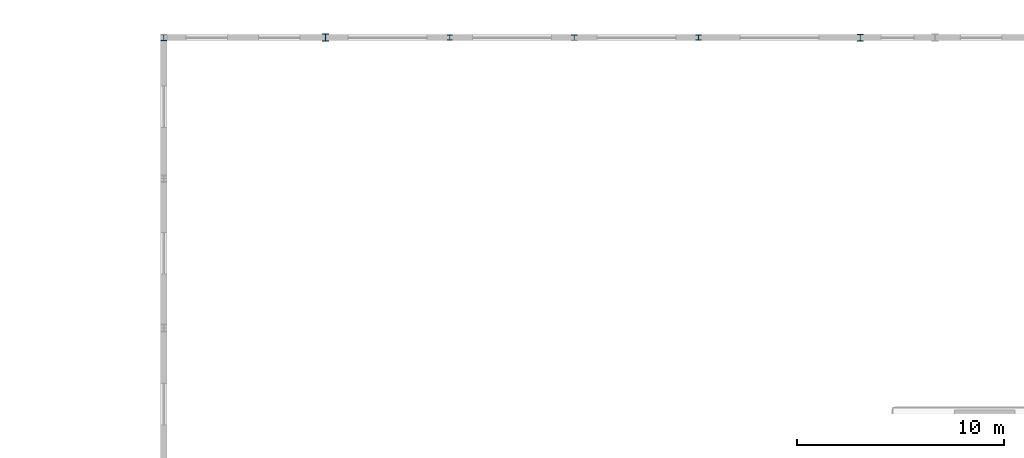
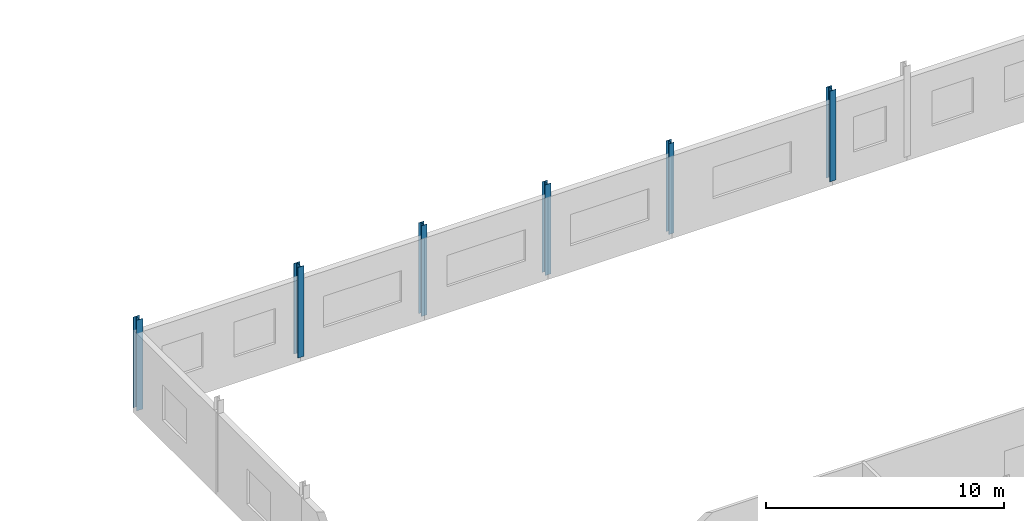
# One storey, part 23 of 121: 6 columns.
"""IFC4 building model written with IfcOpenShell, lengths in metres."""

from ifc_helpers import new_model, si_unit, direction, frame, origin, origin_2d, place, context, subcontext, project, spatial, i_section, extrude, material, material_profile, profile_set, type_object, element, save


model = new_model("IFC4")

# Units and contexts
model_context = context("Model", 3, precision=1e-05, world=origin(), true_north=direction((0.0, 1.0)))
body_context = subcontext(model_context, "Body", "Model", "MODEL_VIEW")
ifc_project = project(units=[si_unit("LENGTHUNIT", "METRE"), si_unit("AREAUNIT", "SQUARE_METRE"), si_unit("VOLUMEUNIT", "CUBIC_METRE"), si_unit("PLANEANGLEUNIT", "RADIAN"), si_unit("MASSUNIT", "GRAM", prefix="KILO")], contexts=[model_context])

# Site, building, storey
site_placement = place(None, origin())
site = spatial("IfcSite", under=ifc_project, at=site_placement, CompositionType="ELEMENT")
building_placement = place(site_placement, origin())
building = spatial("IfcBuilding", under=site, at=building_placement, Name="Vinh Khe Railworks Police Headquarters", CompositionType="ELEMENT")
storey_placement = place(building_placement, frame((0.0, 0.0, 4.800048828125)))
storey = spatial("IfcBuildingStorey", under=building, at=storey_placement, Name="L01", CompositionType="ELEMENT", Elevation=4.800048828125)

# Columns
ifc_material = material(Name="Steel S355JR", Category="steel")
ifc_material_profile_1 = material_profile(ifc_material, i_section(OverallWidth=0.280029296875, OverallDepth=0.27001953125, WebThickness=0.008056640625, FlangeThickness=0.012939453125, FilletRadius=0.02392578125, at=origin_2d()), Name="HEA 280")
ifc_profile_set_1 = profile_set([ifc_material_profile_1], Name="Steel S355JR")
column_type_1 = type_object("IfcColumnType", Name="Steel Column HEA 280", PredefinedType="COLUMN", material=ifc_profile_set_1)
column_1_placement = place(storey_placement, frame((46.199951171875, 166.39990234375, 0.0), z_axis=(0.0, 0.0, 1.0), x_axis=(1.0, 0.0, 0.0)))
element("IfcColumn", 1, at=column_1_placement, inside=storey, type_object=column_type_1, Name="Column COL-L01-SC-19-0938", PredefinedType="COLUMN", context=body_context, shape_type="SweptSolid", body=[
    extrude(i_section(OverallWidth=0.280029296875, OverallDepth=0.27001953125, WebThickness=0.008056640625, FlangeThickness=0.012939453125, FilletRadius=0.02392578125, at=origin_2d()), origin(), (0.0, 0.0, 1.0), 4.64990234375),
])
ifc_material_profile_2 = material_profile(ifc_material, i_section(OverallWidth=0.300048828125, OverallDepth=0.2900390625, WebThickness=0.008544921875, FlangeThickness=0.013916015625, FilletRadius=0.027099609375, at=origin_2d()), Name="HEA 300")
ifc_profile_set_2 = profile_set([ifc_material_profile_2], Name="Steel S355JR")
column_type_2 = type_object("IfcColumnType", Name="Steel Column HEA 300", PredefinedType="COLUMN", material=ifc_profile_set_2)
column_2_placement = place(storey_placement, frame((26.39990234375, 166.39990234375, 0.0), z_axis=(0.0, 0.0, 1.0), x_axis=(1.0, 0.0, 0.0)))
element("IfcColumn", 2, at=column_2_placement, inside=storey, type_object=column_type_2, Name="Column COL-L01-SC-18-0779", PredefinedType="COLUMN", context=body_context, shape_type="SweptSolid", body=[
    extrude(i_section(OverallWidth=0.300048828125, OverallDepth=0.2900390625, WebThickness=0.008544921875, FlangeThickness=0.013916015625, FilletRadius=0.027099609375, at=origin_2d()), origin(), (0.0, 0.0, 1.0), 4.64990234375),
])
ifc_material_profile_3 = material_profile(ifc_material, i_section(OverallWidth=0.260009765625, OverallDepth=0.260009765625, WebThickness=0.010009765625, FlangeThickness=0.017578125, FilletRadius=0.02392578125, at=origin_2d()), Name="HEB 260")
ifc_profile_set_3 = profile_set([ifc_material_profile_3], Name="Steel S355JR")
column_type_3 = type_object("IfcColumnType", Name="Steel Column HEB 260", PredefinedType="COLUMN", material=ifc_profile_set_3)
for number, where, z_axis, x_axis, name in (
    (3, (40.199951171875, 166.39990234375, 0.0), (0.0, 0.0, 1.0), (1.0, 0.0, 0.0), "Column COL-L01-SC-12-0877"),
    (4, (52.199951171875, 166.39990234375, 0.0), (0.0, 0.0, 1.0), (1.0, 0.0, 0.0), "Column COL-L01-SC-12-0991"),
):
    element("IfcColumn", number, at=place(storey_placement, frame(where, z_axis=z_axis, x_axis=x_axis)), inside=storey, type_object=column_type_3, Name=name, PredefinedType="COLUMN", context=body_context, shape_type="SweptSolid", body=[
        extrude(i_section(OverallWidth=0.260009765625, OverallDepth=0.260009765625, WebThickness=0.010009765625, FlangeThickness=0.017578125, FilletRadius=0.02392578125, at=origin_2d()), origin(), (0.0, 0.0, 1.0), 4.64990234375),
    ])
ifc_material_profile_4 = material_profile(ifc_material, i_section(OverallWidth=0.300048828125, OverallDepth=0.340087890625, WebThickness=0.011962890625, FlangeThickness=0.021484375, FilletRadius=0.027099609375, at=origin_2d()), Name="HEB 340")
ifc_profile_set_4 = profile_set([ifc_material_profile_4], Name="Steel S355JR")
column_type_4 = type_object("IfcColumnType", Name="Steel Column HEB 340", PredefinedType="COLUMN", material=ifc_profile_set_4)
column_3_placement = place(storey_placement, frame((60.0, 166.39990234375, 0.0), z_axis=(0.0, 0.0, 1.0), x_axis=(1.0, 0.0, 0.0)))
element("IfcColumn", 5, at=column_3_placement, inside=storey, type_object=column_type_4, Name="Column COL-L01-SC-10-1063", PredefinedType="COLUMN", context=body_context, shape_type="SweptSolid", body=[
    extrude(i_section(OverallWidth=0.300048828125, OverallDepth=0.340087890625, WebThickness=0.011962890625, FlangeThickness=0.021484375, FilletRadius=0.027099609375, at=origin_2d()), origin(), (0.0, 0.0, 1.0), 4.64990234375),
])
ifc_material_profile_5 = material_profile(ifc_material, i_section(OverallWidth=0.300048828125, OverallDepth=0.360107421875, WebThickness=0.012451171875, FlangeThickness=0.0224609375, FilletRadius=0.027099609375, at=origin_2d()), Name="HEB 360")
ifc_profile_set_5 = profile_set([ifc_material_profile_5], Name="Steel S355JR")
column_type_5 = type_object("IfcColumnType", Name="Steel Column HEB 360", PredefinedType="COLUMN", material=ifc_profile_set_5)
column_4_placement = place(storey_placement, frame((34.199951171875, 166.39990234375, 0.0), z_axis=(0.0, 0.0, 1.0), x_axis=(1.0, 0.0, 0.0)))
element("IfcColumn", 6, at=column_4_placement, inside=storey, type_object=column_type_5, Name="Column COL-L01-SC-09-0820", PredefinedType="COLUMN", context=body_context, shape_type="SweptSolid", body=[
    extrude(i_section(OverallWidth=0.300048828125, OverallDepth=0.360107421875, WebThickness=0.012451171875, FlangeThickness=0.0224609375, FilletRadius=0.027099609375, at=origin_2d()), origin(), (0.0, 0.0, 1.0), 4.64990234375),
])

save(model, "model.ifc")
